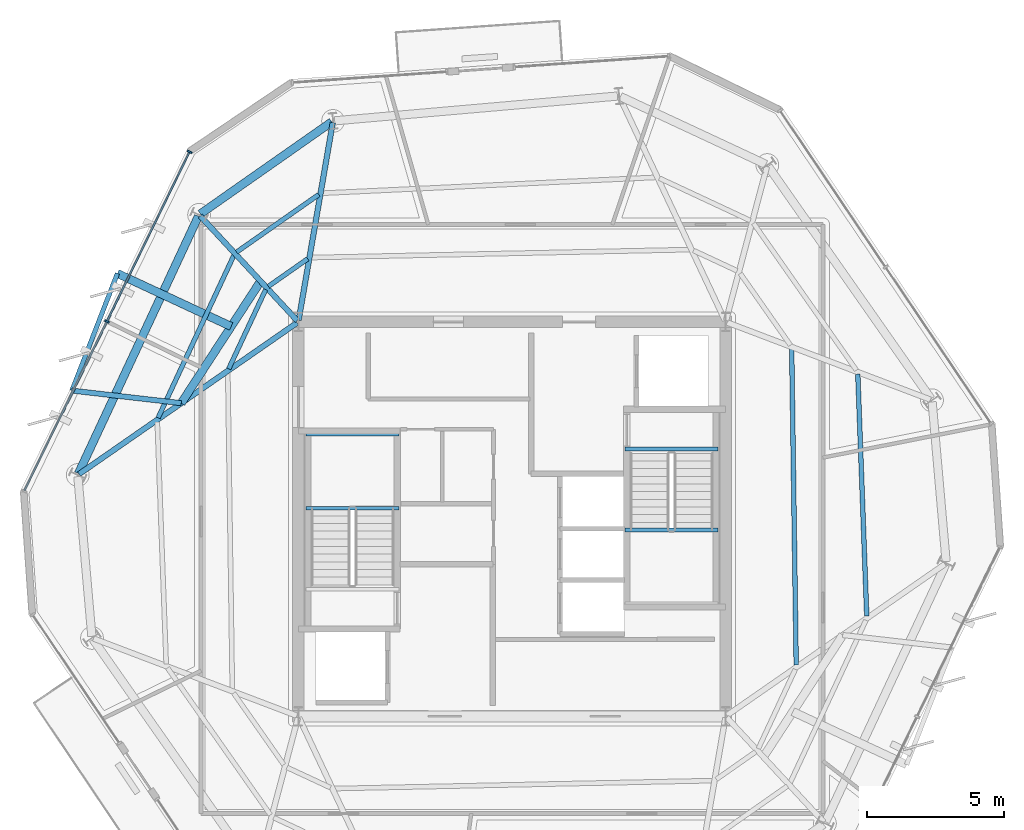
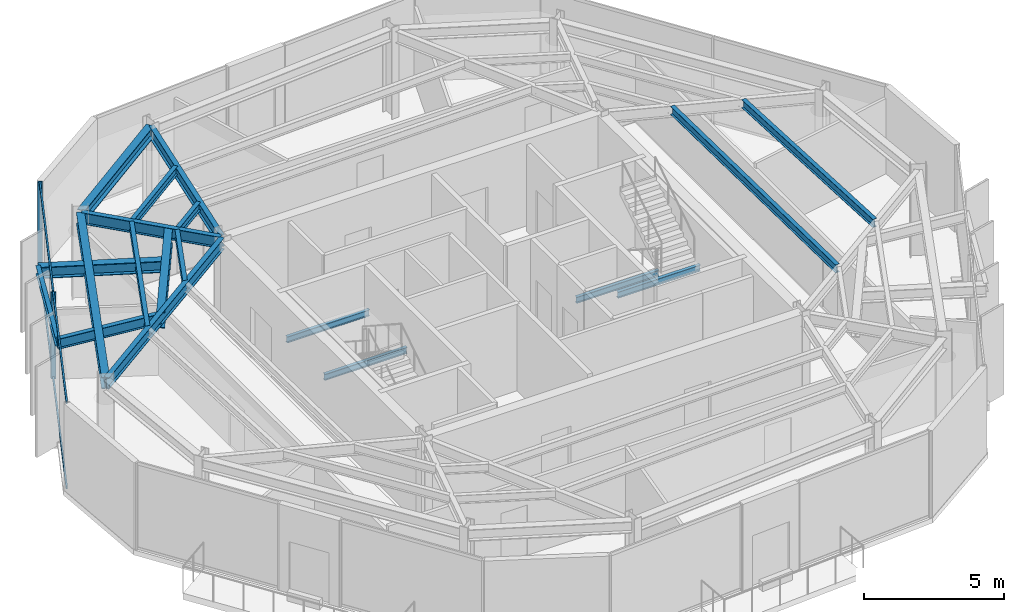
# One storey, part 4 of 13: 19 beams, 6 members, 1 element without a shape of its own.
"""IFC4 building model written with IfcOpenShell, lengths in metres."""

from ifc_helpers import new_model, si_unit, direction, frame, origin, origin_2d, place, context, subcontext, project, spatial, rectangle, i_section, extrude, material, layer, layer_set, material_profile, profile_set, type_object, element, aggregate, save


model = new_model("IFC4")

# Units and contexts
model_context = context("Model", 3, precision=1e-05, world=origin(), true_north=direction((0.0, 1.0)))
body_context = subcontext(model_context, "Body", "Model", "MODEL_VIEW")
ifc_project = project(units=[si_unit("LENGTHUNIT", "METRE"), si_unit("AREAUNIT", "SQUARE_METRE"), si_unit("VOLUMEUNIT", "CUBIC_METRE"), si_unit("PLANEANGLEUNIT", "RADIAN"), si_unit("MASSUNIT", "GRAM", prefix="KILO")], contexts=[model_context])

# Site, building, storey
site_placement = place(None, origin())
site = spatial("IfcSite", under=ifc_project, at=site_placement, CompositionType="ELEMENT")
building_placement = place(site_placement, origin())
building = spatial("IfcBuilding", under=site, at=building_placement, Name="Kranzbogen Civic Tower", CompositionType="ELEMENT")
storey_placement = place(building_placement, frame((0.0, 0.0, 282.199951171875)))
storey = spatial("IfcBuildingStorey", under=building, at=storey_placement, Name="L68", CompositionType="ELEMENT", Elevation=282.199951171875)

# Beam
ifc_material_1 = material(Name="Steel S355", Category="steel")
ifc_material_profile_1 = material_profile(ifc_material_1, i_section(OverallWidth=0.18994140625, OverallDepth=0.449951171875, WebThickness=0.009521484375, FlangeThickness=0.0146484375, at=origin_2d()), Name="IPE 450")
ifc_profile_set_1 = profile_set([ifc_material_profile_1], Name="Steel S355")
beam_type_1 = type_object("IfcBeamType", Name="Braced Terrace Edge Beam IPE 450", PredefinedType="BEAM", material=ifc_profile_set_1)
beam_1_placement = place(storey_placement, frame((12.924072265625, 29.23291015625, 3.525146484375), z_axis=(-0.993479281596, 0.114012793312, 0.0), x_axis=(-0.114012793312, -0.993479281596, 0.0)))
element("IfcBeam", 1, at=beam_1_placement, inside=storey, type_object=beam_type_1, Name="L69 back-spanned terrace beam L69-TB2-2", PredefinedType="BEAM", context=body_context, shape_type="SweptSolid", body=[
    extrude(i_section(OverallWidth=0.18994140625, OverallDepth=0.449951171875, WebThickness=0.009521484375, FlangeThickness=0.0146484375, at=origin_2d()), origin(), (0.0, 0.0, 1.0), 4.01708984375),
])

# Curtain wall, members
ifc_material_2 = material(Name="Pale Anodised Aluminium", Category="aluminium")
ifc_layer = layer(ifc_material_2, 0.219970703125, Name="Pale Anodised Aluminium")
ifc_layer_set = layer_set([ifc_layer], Name="Pale Anodised Aluminium")
curtain_wall_type = type_object("IfcCurtainWallType", Name="Zone 4 Stick Curtain Wall System CW-05", PredefinedType="USERDEFINED", material=ifc_layer_set)
curtain_wall_placement = place(storey_placement, origin())
curtain_wall = element("IfcCurtainWall", 2, at=curtain_wall_placement, inside=storey, type_object=curtain_wall_type, Name="L68 curtain wall CW-L68-F2", ObjectType="STICK CURTAIN WALL", PredefinedType="USERDEFINED")
ifc_material_profile_2 = material_profile(ifc_material_2, rectangle(XDim=0.06494140625, YDim=0.179931640625, at=origin_2d()), Name="ALU-M 65x180")
ifc_profile_set_2 = profile_set([ifc_material_profile_2], Name="Pale Anodised Aluminium")
member_type_1 = type_object("IfcMemberType", Name="Curtain Wall Mullion ALU-M 65x180", PredefinedType="MULLION", material=ifc_profile_set_2)
member_1_placement = place(storey_placement, frame((13.23193359375, 38.407958984375, 0.0), z_axis=(0.0, 0.0, 1.0), x_axis=(-0.438292703672, -0.898832301327, 0.0)))
member_1 = element("IfcMember", 3, at=member_1_placement, type_object=member_type_1, Name="CW-05 mullion 1", PredefinedType="MULLION", context=body_context, shape_type="SweptSolid", body=[
    extrude(rectangle(XDim=0.06494140625, YDim=0.179931640625, at=origin_2d()), origin(), (0.0, 0.0, 1.0), 3.780029296875),
])
member_2_placement = place(storey_placement, frame((10.2109375, 32.212890625, 0.0), z_axis=(0.0, 0.0, 1.0), x_axis=(-0.438292703672, -0.898832301327, 0.0)))
member_2 = element("IfcMember", 4, at=member_2_placement, type_object=member_type_1, Name="CW-05 mullion 2", PredefinedType="MULLION", context=body_context, shape_type="SweptSolid", body=[
    extrude(rectangle(XDim=0.06494140625, YDim=0.179931640625, at=origin_2d()), origin(), (0.0, 0.0, 1.0), 3.780029296875),
])
ifc_material_profile_3 = material_profile(ifc_material_2, rectangle(XDim=0.06494140625, YDim=0.135009765625, at=origin_2d()), Name="ALU-T 65x135")
ifc_profile_set_3 = profile_set([ifc_material_profile_3], Name="Pale Anodised Aluminium")
member_type_2 = type_object("IfcMemberType", Name="Curtain Wall Transom ALU-T 65x135", PredefinedType="USERDEFINED", material=ifc_profile_set_3)
member_3_placement = place(storey_placement, frame((13.21875, 38.381103515625, 0.030029296875), z_axis=(-0.438301129482, -0.898828192646, 0.0), x_axis=(0.898828192646, -0.438301129482, 0.0)))
member_3 = element("IfcMember", 5, at=member_3_placement, type_object=member_type_2, Name="CW-05 transom 1.1", ObjectType="TRANSOM", PredefinedType="USERDEFINED", context=body_context, shape_type="SweptSolid", body=[
    extrude(rectangle(XDim=0.06494140625, YDim=0.135009765625, at=origin_2d()), origin(), (0.0, 0.0, 1.0), 6.832275390625),
])
member_4_placement = place(storey_placement, frame((13.21875, 38.381103515625, 3.75), z_axis=(-0.438301129482, -0.898828192646, 0.0), x_axis=(0.898828192646, -0.438301129482, 0.0)))
member_4 = element("IfcMember", 6, at=member_4_placement, type_object=member_type_2, Name="CW-05 transom 1.2", ObjectType="TRANSOM", PredefinedType="USERDEFINED", context=body_context, shape_type="SweptSolid", body=[
    extrude(rectangle(XDim=0.06494140625, YDim=0.135009765625, at=origin_2d()), origin(), (0.0, 0.0, 1.0), 6.832275390625),
])
member_5_placement = place(storey_placement, frame((10.19775390625, 32.18603515625, 0.030029296875), z_axis=(-0.438272260385, -0.898842269688, 0.0), x_axis=(0.898842269688, -0.438272260385, 0.0)))
member_5 = element("IfcMember", 7, at=member_5_placement, type_object=member_type_2, Name="CW-05 transom 2.1", ObjectType="TRANSOM", PredefinedType="USERDEFINED", context=body_context, shape_type="SweptSolid", body=[
    extrude(rectangle(XDim=0.06494140625, YDim=0.135009765625, at=origin_2d()), origin(), (0.0, 0.0, 1.0), 6.832275390625),
])
member_6_placement = place(storey_placement, frame((10.19775390625, 32.18603515625, 3.75), z_axis=(-0.438272260385, -0.898842269688, 0.0), x_axis=(0.898842269688, -0.438272260385, 0.0)))
member_6 = element("IfcMember", 8, at=member_6_placement, type_object=member_type_2, Name="CW-05 transom 2.2", ObjectType="TRANSOM", PredefinedType="USERDEFINED", context=body_context, shape_type="SweptSolid", body=[
    extrude(rectangle(XDim=0.06494140625, YDim=0.135009765625, at=origin_2d()), origin(), (0.0, 0.0, 1.0), 6.832275390625),
])
aggregate(curtain_wall, [member_1, member_2, member_3, member_4, member_5, member_6])

# Beams
ifc_material_profile_4 = material_profile(ifc_material_1, i_section(OverallWidth=0.300048828125, OverallDepth=0.5, WebThickness=0.014404296875, FlangeThickness=0.028076171875, at=origin_2d()), Name="HEB 500")
ifc_profile_set_4 = profile_set([ifc_material_profile_4], Name="Steel S355")
beam_type_2 = type_object("IfcBeamType", Name="Perimeter Tube Spandrel Beam HEB 500", PredefinedType="SPANDREL", material=ifc_profile_set_4)
beam_2_placement = place(storey_placement, frame((18.41796875, 39.501953125, 3.530029296875), z_axis=(-0.819059436004, -0.57370867197, 0.0), x_axis=(0.57370867197, -0.819059436004, 0.0)))
element("IfcBeam", 9, at=beam_2_placement, inside=storey, type_object=beam_type_2, Name="L68 perimeter spandrel beam 10", PredefinedType="SPANDREL", context=body_context, shape_type="SweptSolid", body=[
    extrude(i_section(OverallWidth=0.300048828125, OverallDepth=0.5, WebThickness=0.014404296875, FlangeThickness=0.028076171875, at=origin_2d()), origin(), (0.0, 0.0, 1.0), 5.85302734375),
])
beam_3_placement = place(storey_placement, frame((13.550048828125, 36.055908203125, 3.530029296875), z_axis=(-0.422668780888, -0.906284227857, 0.0), x_axis=(0.906284227857, -0.422668780888, 0.0)))
element("IfcBeam", 10, at=beam_3_placement, inside=storey, type_object=beam_type_2, Name="L68 perimeter spandrel beam 11", PredefinedType="SPANDREL", context=body_context, shape_type="SweptSolid", body=[
    extrude(i_section(OverallWidth=0.300048828125, OverallDepth=0.5, WebThickness=0.014404296875, FlangeThickness=0.028076171875, at=origin_2d()), origin(), (0.0, 0.0, 1.0), 10.363037109375),
])
beam_4_placement = place(storey_placement, frame((14.74609375, 32.031982421875, 3.5), z_axis=(-0.906317877089, 0.42259662288, 0.0), x_axis=(-0.42259662288, -0.906317877089, 0.0)))
element("IfcBeam", 11, at=beam_4_placement, inside=storey, type_object=beam_type_2, Name="L69 back-spanned terrace beam L69-TB2-1", PredefinedType="SPANDREL", context=body_context, shape_type="SweptSolid", body=[
    extrude(i_section(OverallWidth=0.300048828125, OverallDepth=0.5, WebThickness=0.014404296875, FlangeThickness=0.028076171875, at=origin_2d()), origin(), (0.0, 0.0, 1.0), 4.581298828125),
])
ifc_material_profile_5 = material_profile(ifc_material_1, i_section(OverallWidth=0.300048828125, OverallDepth=0.699951171875, WebThickness=0.01708984375, FlangeThickness=0.031982421875, at=origin_2d()), Name="HEB 700")
ifc_profile_set_5 = profile_set([ifc_material_profile_5], Name="Steel S355")
beam_type_3 = type_object("IfcBeamType", Name="Perimeter Tube Spandrel Beam HEB 700", PredefinedType="SPANDREL", material=ifc_profile_set_5)
beam_5_placement = place(storey_placement, frame((15.822021484375, 33.68603515625, 3.400146484375), z_axis=(-0.545440514923, -0.83814953599, 0.0), x_axis=(0.83814953599, -0.545440514923, 0.0)))
element("IfcBeam", 12, at=beam_5_placement, inside=storey, type_object=beam_type_3, Name="L69 balcony back-span header girder L69-TB2", PredefinedType="SPANDREL", context=body_context, shape_type="SweptSolid", body=[
    extrude(i_section(OverallWidth=0.300048828125, OverallDepth=0.699951171875, WebThickness=0.01708984375, FlangeThickness=0.031982421875, at=origin_2d()), origin(), (0.0, 0.0, 1.0), 5.31298828125),
])
ifc_material_profile_6 = material_profile(ifc_material_1, i_section(OverallWidth=0.199951171875, OverallDepth=0.5, WebThickness=0.01025390625, FlangeThickness=0.01611328125, at=origin_2d()), Name="IPE 500")
ifc_profile_set_6 = profile_set([ifc_material_profile_6], Name="Steel S355")
beam_type_4 = type_object("IfcBeamType", Name="Radial Tower Floor Girder IPE 500", PredefinedType="BEAM", material=ifc_profile_set_6)
beam_6_placement = place(storey_placement, frame((18.45703125, 39.47705078125, 3.530029296875), z_axis=(-0.170249558486, -0.985400978199, 0.0), x_axis=(0.985400978199, -0.170249558486, 0.0)))
element("IfcBeam", 13, at=beam_6_placement, inside=storey, type_object=beam_type_4, Name="L68 radial floor girder 10", PredefinedType="BEAM", context=body_context, shape_type="SweptSolid", body=[
    extrude(i_section(OverallWidth=0.199951171875, OverallDepth=0.5, WebThickness=0.01025390625, FlangeThickness=0.01611328125, at=origin_2d()), origin(), (0.0, 0.0, 1.0), 7.324951171875),
])
beam_7_placement = place(storey_placement, frame((13.615966796875, 36.06591796875, 3.530029296875), z_axis=(0.679827353702, -0.733372190064, 0.0), x_axis=(0.733372190064, 0.679827353702, 0.0)))
element("IfcBeam", 14, at=beam_7_placement, inside=storey, type_object=beam_type_4, Name="L68 radial floor girder 11", PredefinedType="BEAM", context=body_context, shape_type="SweptSolid", body=[
    extrude(i_section(OverallWidth=0.199951171875, OverallDepth=0.5, WebThickness=0.01025390625, FlangeThickness=0.01611328125, at=origin_2d()), origin(), (0.0, 0.0, 1.0), 5.211669921875),
])
beam_8_placement = place(storey_placement, frame((9.194091796875, 26.64404296875, 3.530029296875), z_axis=(0.821542812331, 0.570146829779, 0.0), x_axis=(-0.570146829779, 0.821542812331, 0.0)))
element("IfcBeam", 15, at=beam_8_placement, inside=storey, type_object=beam_type_4, Name="L68 radial floor girder 12", PredefinedType="BEAM", context=body_context, shape_type="SweptSolid", body=[
    extrude(i_section(OverallWidth=0.199951171875, OverallDepth=0.5, WebThickness=0.01025390625, FlangeThickness=0.01611328125, at=origin_2d()), origin(), (0.0, 0.0, 1.0), 9.68505859375),
])
ifc_material_profile_7 = material_profile(ifc_material_1, i_section(OverallWidth=0.169921875, OverallDepth=0.360107421875, WebThickness=0.008056640625, FlangeThickness=0.0126953125, at=origin_2d()), Name="IPE 360")
ifc_profile_set_7 = profile_set([ifc_material_profile_7], Name="Steel S355")
beam_type_5 = type_object("IfcBeamType", Name="Secondary Composite Floor Joist IPE 360", PredefinedType="JOIST", material=ifc_profile_set_7)
beam_9_placement = place(storey_placement, frame((37.951904296875, 21.4580078125, 3.60009765625), z_axis=(-0.036992246074, 0.999315552631, 0.0), x_axis=(-0.999315552631, -0.036992246074, 0.0)))
element("IfcBeam", 16, at=beam_9_placement, inside=storey, type_object=beam_type_5, Name="L68 secondary floor joist 1.06", PredefinedType="JOIST", context=body_context, shape_type="SweptSolid", body=[
    extrude(i_section(OverallWidth=0.169921875, OverallDepth=0.360107421875, WebThickness=0.008056640625, FlangeThickness=0.0126953125, at=origin_2d()), origin(), (0.0, 0.0, 1.0), 8.837158203125),
])
beam_10_placement = place(storey_placement, frame((35.3759765625, 19.6689453125, 3.60009765625), z_axis=(-0.014221385906, 0.999898870978, 0.0), x_axis=(-0.999898870978, -0.014221385906, 0.0)))
element("IfcBeam", 17, at=beam_10_placement, inside=storey, type_object=beam_type_5, Name="L68 secondary floor joist 2.06", PredefinedType="JOIST", context=body_context, shape_type="SweptSolid", body=[
    extrude(i_section(OverallWidth=0.169921875, OverallDepth=0.360107421875, WebThickness=0.008056640625, FlangeThickness=0.0126953125, at=origin_2d()), origin(), (0.0, 0.0, 1.0), 11.536376953125),
])
beam_11_placement = place(storey_placement, frame((17.945068359375, 36.84912109375, 3.60009765625), z_axis=(-0.819006333711, -0.573784476385, 0.0), x_axis=(0.573784476385, -0.819006333711, 0.0)))
element("IfcBeam", 18, at=beam_11_placement, inside=storey, type_object=beam_type_5, Name="L68 secondary floor joist 1.10", PredefinedType="JOIST", context=body_context, shape_type="SweptSolid", body=[
    extrude(i_section(OverallWidth=0.169921875, OverallDepth=0.360107421875, WebThickness=0.008056640625, FlangeThickness=0.0126953125, at=origin_2d()), origin(), (0.0, 0.0, 1.0), 3.661865234375),
])
beam_12_placement = place(storey_placement, frame((17.5400390625, 34.501953125, 3.60009765625), z_axis=(-0.818956727849, -0.573855276103, 0.0), x_axis=(0.573855276103, -0.818956727849, 0.0)))
element("IfcBeam", 19, at=beam_12_placement, inside=storey, type_object=beam_type_5, Name="L68 secondary floor joist 2.10", PredefinedType="JOIST", context=body_context, shape_type="SweptSolid", body=[
    extrude(i_section(OverallWidth=0.169921875, OverallDepth=0.360107421875, WebThickness=0.008056640625, FlangeThickness=0.0126953125, at=origin_2d()), origin(), (0.0, 0.0, 1.0), 1.751220703125),
])
beam_13_placement = place(storey_placement, frame((14.845947265625, 34.6298828125, 3.60009765625), z_axis=(-0.422542528713, -0.906343098075, 0.0), x_axis=(0.906343098075, -0.422542528713, 0.0)))
element("IfcBeam", 20, at=beam_13_placement, inside=storey, type_object=beam_type_5, Name="L68 secondary floor joist 1.11", PredefinedType="JOIST", context=body_context, shape_type="SweptSolid", body=[
    extrude(i_section(OverallWidth=0.169921875, OverallDepth=0.360107421875, WebThickness=0.008056640625, FlangeThickness=0.0126953125, at=origin_2d()), origin(), (0.0, 0.0, 1.0), 6.548095703125),
])
beam_14_placement = place(storey_placement, frame((16.006103515625, 33.37890625, 3.60009765625), z_axis=(-0.422651143991, -0.906292453065, 0.0), x_axis=(0.906292453065, -0.422651143991, 0.0)))
element("IfcBeam", 21, at=beam_14_placement, inside=storey, type_object=beam_type_5, Name="L68 secondary floor joist 2.11", PredefinedType="JOIST", context=body_context, shape_type="SweptSolid", body=[
    extrude(i_section(OverallWidth=0.169921875, OverallDepth=0.360107421875, WebThickness=0.008056640625, FlangeThickness=0.0126953125, at=origin_2d()), origin(), (0.0, 0.0, 1.0), 3.1943359375),
])
beam_15_placement = place(storey_placement, frame((10.593994140625, 33.968017578125, 3.570068359375), z_axis=(-0.361986586715, -0.932183303347, 0.0), x_axis=(0.932183303347, -0.361986586715, 0.0)))
element("IfcBeam", 22, at=beam_15_placement, inside=storey, type_object=beam_type_5, Name="L69 terrace outer edge trimmer L69-TB2", PredefinedType="JOIST", context=body_context, shape_type="SweptSolid", body=[
    extrude(i_section(OverallWidth=0.169921875, OverallDepth=0.360107421875, WebThickness=0.008056640625, FlangeThickness=0.0126953125, at=origin_2d()), origin(), (0.0, 0.0, 1.0), 4.58837890625),
])
ifc_material_profile_8 = material_profile(ifc_material_1, i_section(OverallWidth=0.135009765625, OverallDepth=0.27001953125, WebThickness=0.006591796875, FlangeThickness=0.01025390625, at=origin_2d()), Name="IPE 270")
ifc_profile_set_8 = profile_set([ifc_material_profile_8], Name="Steel S355")
beam_type_6 = type_object("IfcBeamType", Name="Stair Landing Support Beam IPE 270", PredefinedType="JOIST", material=ifc_profile_set_8)
for number, where, z_axis, x_axis, name in (
    (23, (20.8798828125, 25.39990234375, 1.6650390625), (-1.0, 0.0, 0.0), (0.0, -1.0, 0.0), "L68 ST-T1 landing support beam 1.1"),
    (24, (20.8798828125, 28.10009765625, 1.6650390625), (-1.0, 0.0, 0.0), (0.0, -1.0, 0.0), "L68 ST-T1 landing support beam 1.2"),
    (25, (29.1201171875, 27.56005859375, -0.35498046875), (1.0, 0.0, 0.0), (0.0, 1.0, 0.0), "L68 ST-T2 stair floor header beam"),
    (26, (29.1201171875, 24.60009765625, 1.6650390625), (1.0, 0.0, 0.0), (0.0, 1.0, 0.0), "L68 ST-T2 landing support beam 1.1"),
):
    element("IfcBeam", number, at=place(storey_placement, frame(where, z_axis=z_axis, x_axis=x_axis)), inside=storey, type_object=beam_type_6, Name=name, PredefinedType="JOIST", context=body_context, shape_type="SweptSolid", body=[
        extrude(i_section(OverallWidth=0.135009765625, OverallDepth=0.27001953125, WebThickness=0.006591796875, FlangeThickness=0.01025390625, at=origin_2d()), origin(), (0.0, 0.0, 1.0), 3.409912109375),
    ])

save(model, "model.ifc")
